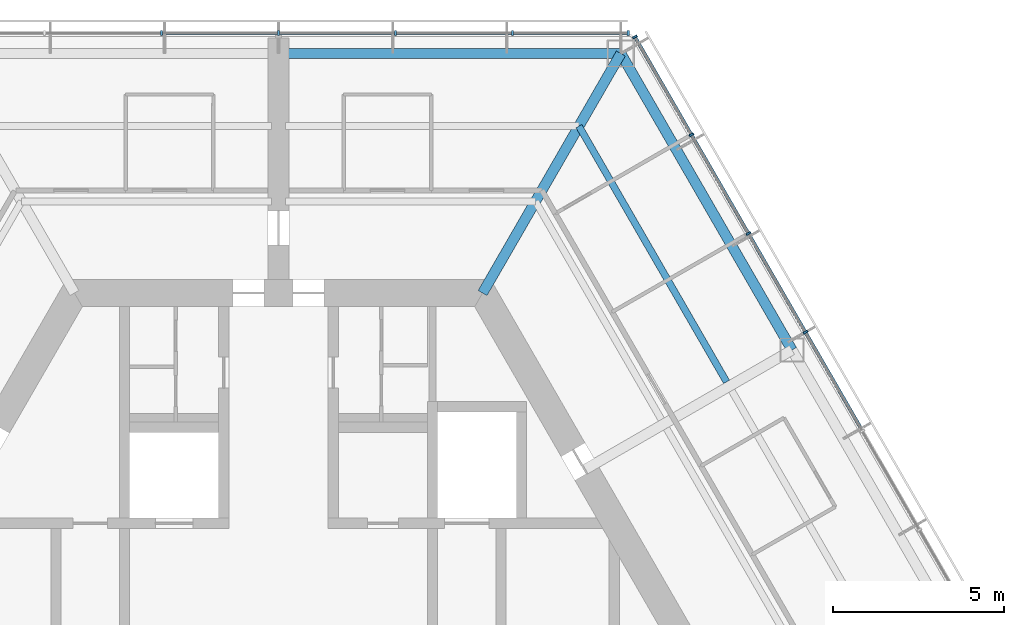
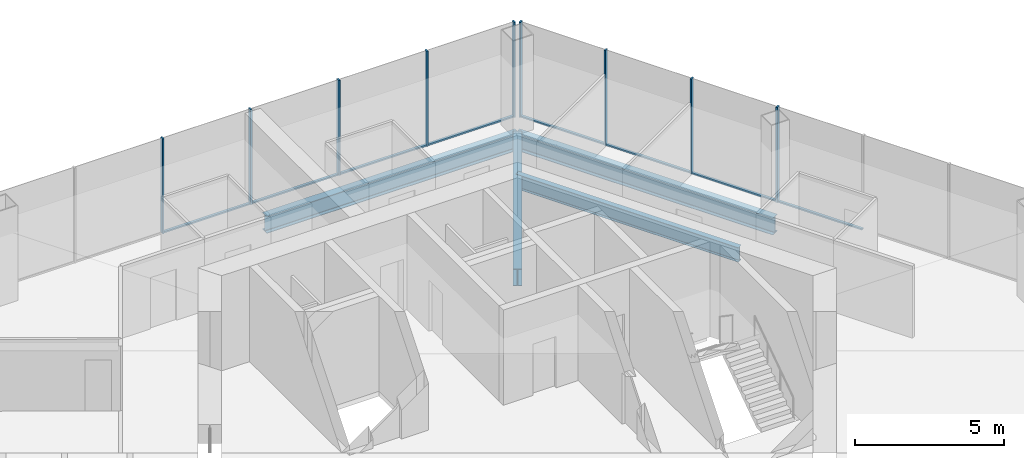
# One storey, part 7 of 15: 17 members, 4 beams, 2 elements without a shape of their own.
"""IFC4 building model written with IfcOpenShell, lengths in metres."""

from ifc_helpers import new_model, si_unit, direction, frame, origin, origin_2d, place, context, subcontext, project, spatial, rectangle, i_section, extrude, material, material_profile, profile_set, type_object, element, aggregate, save


model = new_model("IFC4")

# Units and contexts
model_context = context("Model", 3, precision=1e-05, world=origin(), true_north=direction((0.0, 1.0)))
body_context = subcontext(model_context, "Body", "Model", "MODEL_VIEW")
ifc_project = project(units=[si_unit("LENGTHUNIT", "METRE"), si_unit("AREAUNIT", "SQUARE_METRE"), si_unit("VOLUMEUNIT", "CUBIC_METRE"), si_unit("PLANEANGLEUNIT", "RADIAN"), si_unit("MASSUNIT", "GRAM", prefix="KILO")], contexts=[model_context])

# Site, building, storey
site_placement = place(None, origin())
site = spatial("IfcSite", under=ifc_project, at=site_placement, CompositionType="ELEMENT")
building_placement = place(site_placement, origin())
building = spatial("IfcBuilding", under=site, at=building_placement, Name="Kasaneha Research Tower", CompositionType="ELEMENT")
storey_placement = place(building_placement, frame((0.0, 0.0, 244.0)))
storey = spatial("IfcBuildingStorey", under=building, at=storey_placement, Name="L61", CompositionType="ELEMENT", Elevation=244.0)

# Beam
ifc_material_1 = material(Name="Steel SN490B", Category="steel")
ifc_material_profile_1 = material_profile(ifc_material_1, i_section(OverallWidth=0.199951171875, OverallDepth=0.60009765625, WebThickness=0.010986328125, FlangeThickness=0.01708984375, FilletRadius=0.012939453125, at=origin_2d()), Name="H-600x200x11x17")
ifc_profile_set_1 = profile_set([ifc_material_profile_1], Name="Steel SN490B")
beam_type_1 = type_object("IfcBeamType", Name="B1-3 secondary beam H-600x200x11x17", PredefinedType="JOIST", material=ifc_profile_set_1)
beam_1_placement = place(storey_placement, frame((8.775634765625, 15.199951171875, -0.449951171875), z_axis=(0.500017275495, -0.866015429543, 0.0), x_axis=(0.866015429543, 0.500017275495, 0.0)))
element("IfcBeam", 1, at=beam_1_placement, inside=storey, type_object=beam_type_1, Name="Secondary beam RS030R2 L61", PredefinedType="JOIST", context=body_context, shape_type="SweptSolid", body=[
    extrude(i_section(OverallWidth=0.199951171875, OverallDepth=0.60009765625, WebThickness=0.010986328125, FlangeThickness=0.01708984375, FilletRadius=0.012939453125, at=origin_2d()), origin(), (0.0, 0.0, 1.0), 8.625732421875),
])

# Curtain wall, members
ifc_material_2 = material(Name="Glass and aluminium", Category="aluminium")
curtain_wall_type = type_object("IfcCurtainWallType", Name="High-rise office curtain wall", PredefinedType="USERDEFINED", material=ifc_material_2)
curtain_wall_1_placement = place(storey_placement, origin())
curtain_wall_1 = element("IfcCurtainWall", 2, at=curtain_wall_1_placement, inside=storey, type_object=curtain_wall_type, Name="CW-O3 L61 run 01a", ObjectType="UNITISED CURTAIN WALL", PredefinedType="USERDEFINED")
ifc_material_3 = material(Name="Aluminium 6063-T6", Category="aluminium")
ifc_material_profile_2 = material_profile(ifc_material_3, rectangle(XDim=0.06005859375, YDim=0.139892578125, at=origin_2d()), Name="CW-O3 mullion 60x140")
ifc_profile_set_2 = profile_set([ifc_material_profile_2], Name="Aluminium 6063-T6")
member_type_1 = type_object("IfcMemberType", Name="CW-O3 mullion", PredefinedType="MULLION", material=ifc_profile_set_2)
member_1_placement = place(storey_placement, frame((15.392822265625, 9.179931640625, 0.0), z_axis=(0.0, 0.0, 1.0), x_axis=(-0.499999979232, 0.866025415775, 0.0)))
member_1 = element("IfcMember", 3, at=member_1_placement, type_object=member_type_1, Name="CW-O3 mullion 4", PredefinedType="MULLION", context=body_context, shape_type="SweptSolid", body=[
    extrude(rectangle(XDim=0.06005859375, YDim=0.139892578125, at=origin_2d()), origin(), (0.0, 0.0, 1.0), 3.89990234375),
])
member_2_placement = place(storey_placement, frame((13.727294921875, 12.064453125, 0.0), z_axis=(0.0, 0.0, 1.0), x_axis=(-0.499999979232, 0.866025415775, 0.0)))
member_2 = element("IfcMember", 4, at=member_2_placement, type_object=member_type_1, Name="CW-O3 mullion 5", PredefinedType="MULLION", context=body_context, shape_type="SweptSolid", body=[
    extrude(rectangle(XDim=0.06005859375, YDim=0.139892578125, at=origin_2d()), origin(), (0.0, 0.0, 1.0), 3.89990234375),
])
member_3_placement = place(storey_placement, frame((12.061767578125, 14.94921875, 0.0), z_axis=(0.0, 0.0, 1.0), x_axis=(-0.499999979232, 0.866025415775, 0.0)))
member_3 = element("IfcMember", 5, at=member_3_placement, type_object=member_type_1, Name="CW-O3 mullion 6", PredefinedType="MULLION", context=body_context, shape_type="SweptSolid", body=[
    extrude(rectangle(XDim=0.06005859375, YDim=0.139892578125, at=origin_2d()), origin(), (0.0, 0.0, 1.0), 3.89990234375),
])
member_4_placement = place(storey_placement, frame((10.411376953125, 17.807861328125, 0.0), z_axis=(0.0, 0.0, 1.0), x_axis=(-0.499999979232, 0.866025415775, 0.0)))
member_4 = element("IfcMember", 6, at=member_4_placement, type_object=member_type_1, Name="CW-O3 mullion 7", PredefinedType="MULLION", context=body_context, shape_type="SweptSolid", body=[
    extrude(rectangle(XDim=0.06005859375, YDim=0.139892578125, at=origin_2d()), origin(), (0.0, 0.0, 1.0), 3.89990234375),
])

curtain_wall_2_placement = place(storey_placement, origin())
curtain_wall_2 = element("IfcCurtainWall", 7, at=curtain_wall_2_placement, inside=storey, type_object=curtain_wall_type, Name="CW-O3 L61 run 02a", ObjectType="UNITISED CURTAIN WALL", PredefinedType="USERDEFINED")
member_5_placement = place(storey_placement, frame((10.21630859375, 17.92041015625, 0.0), z_axis=(0.0, 0.0, 1.0), x_axis=(-1.0, 0.0, 0.0)))
member_5 = element("IfcMember", 8, at=member_5_placement, type_object=member_type_1, Name="CW-O3 mullion 1", PredefinedType="MULLION", context=body_context, shape_type="SweptSolid", body=[
    extrude(rectangle(XDim=0.06005859375, YDim=0.139892578125, at=origin_2d()), origin(), (0.0, 0.0, 1.0), 3.89990234375),
])
member_6_placement = place(storey_placement, frame((6.8310546875, 17.92041015625, 0.0), z_axis=(0.0, 0.0, 1.0), x_axis=(-1.0, 0.0, 0.0)))
member_6 = element("IfcMember", 9, at=member_6_placement, type_object=member_type_1, Name="CW-O3 mullion 2", PredefinedType="MULLION", context=body_context, shape_type="SweptSolid", body=[
    extrude(rectangle(XDim=0.06005859375, YDim=0.139892578125, at=origin_2d()), origin(), (0.0, 0.0, 1.0), 3.89990234375),
])
member_7_placement = place(storey_placement, frame((3.41552734375, 17.92041015625, 0.0), z_axis=(0.0, 0.0, 1.0), x_axis=(-1.0, 0.0, 0.0)))
member_7 = element("IfcMember", 10, at=member_7_placement, type_object=member_type_1, Name="CW-O3 mullion 3", PredefinedType="MULLION", context=body_context, shape_type="SweptSolid", body=[
    extrude(rectangle(XDim=0.06005859375, YDim=0.139892578125, at=origin_2d()), origin(), (0.0, 0.0, 1.0), 3.89990234375),
])
member_8_placement = place(storey_placement, frame((0.0, 17.92041015625, 0.0), z_axis=(0.0, 0.0, 1.0), x_axis=(-1.0, 0.0, 0.0)))
member_8 = element("IfcMember", 11, at=member_8_placement, type_object=member_type_1, Name="CW-O3 mullion 4", PredefinedType="MULLION", context=body_context, shape_type="SweptSolid", body=[
    extrude(rectangle(XDim=0.06005859375, YDim=0.139892578125, at=origin_2d()), origin(), (0.0, 0.0, 1.0), 3.89990234375),
])
member_9_placement = place(storey_placement, frame((-3.41552734375, 17.92041015625, 0.0), z_axis=(0.0, 0.0, 1.0), x_axis=(-1.0, 0.0, 0.0)))
member_9 = element("IfcMember", 12, at=member_9_placement, type_object=member_type_1, Name="CW-O3 mullion 5", PredefinedType="MULLION", context=body_context, shape_type="SweptSolid", body=[
    extrude(rectangle(XDim=0.06005859375, YDim=0.139892578125, at=origin_2d()), origin(), (0.0, 0.0, 1.0), 3.89990234375),
])

# Member
ifc_material_4 = material(Name="Aluminium 6063-T6", Category="aluminium")
ifc_material_profile_3 = material_profile(ifc_material_4, rectangle(XDim=0.10009765625, YDim=0.06005859375, at=origin_2d()), Name="CW-O3 transom 100x60")
ifc_profile_set_3 = profile_set([ifc_material_profile_3], Name="Aluminium 6063-T6")
member_type_2 = type_object("IfcMemberType", Name="CW-O3 transom", PredefinedType="USERDEFINED", material=ifc_profile_set_3)
member_10_placement = place(storey_placement, frame((17.043212890625, 6.3212890625, 0.030029296875), z_axis=(-0.50003259116, 0.866006586452, 0.0), x_axis=(-0.866006586452, -0.50003259116, 0.0)))
member_10 = element("IfcMember", 13, at=member_10_placement, type_object=member_type_2, Name="CW-O3 transom 3", ObjectType="TRANSOM", PredefinedType="USERDEFINED", context=body_context, shape_type="SweptSolid", body=[
    extrude(rectangle(XDim=0.10009765625, YDim=0.06005859375, at=origin_2d()), origin(), (0.0, 0.0, 1.0), 3.270751953125),
])

member_11_placement = place(storey_placement, frame((15.3779296875, 9.205810546875, 0.030029296875), z_axis=(-0.500000270186, 0.866025247793, 0.0), x_axis=(-0.866025247793, -0.500000270186, 0.0)))
member_11 = element("IfcMember", 14, at=member_11_placement, type_object=member_type_2, Name="CW-O3 transom 4", ObjectType="TRANSOM", PredefinedType="USERDEFINED", context=body_context, shape_type="SweptSolid", body=[
    extrude(rectangle(XDim=0.10009765625, YDim=0.06005859375, at=origin_2d()), origin(), (0.0, 0.0, 1.0), 3.27099609375),
])

member_12_placement = place(storey_placement, frame((13.71240234375, 12.090576171875, 0.030029296875), z_axis=(-0.500000270186, 0.866025247793, 0.0), x_axis=(-0.866025247793, -0.500000270186, 0.0)))
member_12 = element("IfcMember", 15, at=member_12_placement, type_object=member_type_2, Name="CW-O3 transom 5", ObjectType="TRANSOM", PredefinedType="USERDEFINED", context=body_context, shape_type="SweptSolid", body=[
    extrude(rectangle(XDim=0.10009765625, YDim=0.06005859375, at=origin_2d()), origin(), (0.0, 0.0, 1.0), 3.27099609375),
])

member_13_placement = place(storey_placement, frame((12.046875, 14.97509765625, 0.030029296875), z_axis=(-0.499955025697, 0.866051368154, 0.0), x_axis=(-0.866051368154, -0.499955025697, 0.0)))
member_13 = element("IfcMember", 16, at=member_13_placement, type_object=member_type_2, Name="CW-O3 transom 6", ObjectType="TRANSOM", PredefinedType="USERDEFINED", context=body_context, shape_type="SweptSolid", body=[
    extrude(rectangle(XDim=0.10009765625, YDim=0.06005859375, at=origin_2d()), origin(), (0.0, 0.0, 1.0), 3.240966796875),
])

aggregate(curtain_wall_1, [member_1, member_2, member_3, member_4, member_10, member_11, member_12, member_13])

member_14_placement = place(storey_placement, frame((10.1865234375, 17.92041015625, 0.030029296875), z_axis=(-1.0, 0.0, 0.0), x_axis=(0.0, -1.0, 0.0)))
member_14 = element("IfcMember", 17, at=member_14_placement, type_object=member_type_2, Name="CW-O3 transom 1", ObjectType="TRANSOM", PredefinedType="USERDEFINED", context=body_context, shape_type="SweptSolid", body=[
    extrude(rectangle(XDim=0.10009765625, YDim=0.06005859375, at=origin_2d()), origin(), (0.0, 0.0, 1.0), 3.32568359375),
])

member_15_placement = place(storey_placement, frame((6.801025390625, 17.92041015625, 0.030029296875), z_axis=(-1.0, 0.0, 0.0), x_axis=(0.0, -1.0, 0.0)))
member_15 = element("IfcMember", 18, at=member_15_placement, type_object=member_type_2, Name="CW-O3 transom 2", ObjectType="TRANSOM", PredefinedType="USERDEFINED", context=body_context, shape_type="SweptSolid", body=[
    extrude(rectangle(XDim=0.10009765625, YDim=0.06005859375, at=origin_2d()), origin(), (0.0, 0.0, 1.0), 3.35546875),
])

member_16_placement = place(storey_placement, frame((3.385498046875, 17.92041015625, 0.030029296875), z_axis=(-1.0, 0.0, 0.0), x_axis=(0.0, -1.0, 0.0)))
member_16 = element("IfcMember", 19, at=member_16_placement, type_object=member_type_2, Name="CW-O3 transom 3", ObjectType="TRANSOM", PredefinedType="USERDEFINED", context=body_context, shape_type="SweptSolid", body=[
    extrude(rectangle(XDim=0.10009765625, YDim=0.06005859375, at=origin_2d()), origin(), (0.0, 0.0, 1.0), 3.35546875),
])

member_17_placement = place(storey_placement, frame((-0.030029296875, 17.92041015625, 0.030029296875), z_axis=(-1.0, 0.0, 0.0), x_axis=(0.0, -1.0, 0.0)))
member_17 = element("IfcMember", 20, at=member_17_placement, type_object=member_type_2, Name="CW-O3 transom 4", ObjectType="TRANSOM", PredefinedType="USERDEFINED", context=body_context, shape_type="SweptSolid", body=[
    extrude(rectangle(XDim=0.10009765625, YDim=0.06005859375, at=origin_2d()), origin(), (0.0, 0.0, 1.0), 3.35546875),
])

aggregate(curtain_wall_2, [member_5, member_6, member_7, member_8, member_9, member_14, member_15, member_16, member_17])

# Beams
ifc_material_5 = material(Name="Steel SN490B", Category="steel")
ifc_material_profile_4 = material_profile(ifc_material_5, i_section(OverallWidth=0.300048828125, OverallDepth=0.699951171875, WebThickness=0.012939453125, FlangeThickness=0.02392578125, FilletRadius=0.01806640625, at=origin_2d()), Name="H-700x300x13x24")
ifc_profile_set_4 = profile_set([ifc_material_profile_4], Name="Steel SN490B")
beam_type_2 = type_object("IfcBeamType", Name="G1-3 radial girder H-700x300x13x24", PredefinedType="BEAM", material=ifc_profile_set_4)
beam_2_placement = place(storey_placement, frame((5.961181640625, 10.324951171875, -0.5), z_axis=(0.49999105496, 0.866030568144, 0.0), x_axis=(-0.866030568144, 0.49999105496, 0.0)))
element("IfcBeam", 21, at=beam_2_placement, inside=storey, type_object=beam_type_2, Name="Radial girder RV060 L61", PredefinedType="BEAM", context=body_context, shape_type="SweptSolid", body=[
    extrude(i_section(OverallWidth=0.300048828125, OverallDepth=0.699951171875, WebThickness=0.012939453125, FlangeThickness=0.02392578125, FilletRadius=0.01806640625, at=origin_2d()), origin(), (0.0, 0.0, 1.0), 8.077880859375),
])
ifc_material_6 = material(Name="Steel SN490B", Category="steel")
ifc_material_profile_5 = material_profile(ifc_material_6, i_section(OverallWidth=0.300048828125, OverallDepth=0.69189453125, WebThickness=0.012939453125, FlangeThickness=0.02001953125, FilletRadius=0.01806640625, at=origin_2d()), Name="H-692x300x13x20")
ifc_profile_set_5 = profile_set([ifc_material_profile_5], Name="Steel SN490B")
beam_type_3 = type_object("IfcBeamType", Name="G3-3 plate edge girder H-692x300x13x20", PredefinedType="BEAM", material=ifc_profile_set_5)
beam_3_placement = place(storey_placement, frame((10.0, 17.320556640625, -0.49609375), z_axis=(-1.0, 0.0, 0.0), x_axis=(0.0, -1.0, 0.0)))
element("IfcBeam", 22, at=beam_3_placement, inside=storey, type_object=beam_type_3, Name="Plate edge girder PEAP L61", PredefinedType="BEAM", context=body_context, shape_type="SweptSolid", body=[
    extrude(i_section(OverallWidth=0.300048828125, OverallDepth=0.69189453125, WebThickness=0.012939453125, FlangeThickness=0.02001953125, FilletRadius=0.01806640625, at=origin_2d()), origin(), (0.0, 0.0, 1.0), 9.800048828125),
])
ifc_material_7 = material(Name="Steel SN490B", Category="steel")
ifc_material_profile_6 = material_profile(ifc_material_7, i_section(OverallWidth=0.300048828125, OverallDepth=0.69189453125, WebThickness=0.012939453125, FlangeThickness=0.02001953125, FilletRadius=0.01806640625, at=origin_2d()), Name="H-692x300x13x20")
ifc_profile_set_6 = profile_set([ifc_material_profile_6], Name="Steel SN490B")
beam_type_4 = type_object("IfcBeamType", Name="SB1-3 spandrel beam H-692x300x13x20", PredefinedType="SPANDREL", material=ifc_profile_set_6)
beam_4_placement = place(storey_placement, frame((10.0, 17.320556640625, -0.49609375), z_axis=(0.499993662806, -0.866029062534, 0.0), x_axis=(0.866029062534, 0.499993662806, 0.0)))
element("IfcBeam", 23, at=beam_4_placement, inside=storey, type_object=beam_type_4, Name="Spandrel beam SR030R L61", PredefinedType="SPANDREL", context=body_context, shape_type="SweptSolid", body=[
    extrude(i_section(OverallWidth=0.300048828125, OverallDepth=0.69189453125, WebThickness=0.012939453125, FlangeThickness=0.02001953125, FilletRadius=0.01806640625, at=origin_2d()), origin(), (0.0, 0.0, 1.0), 10.000244140625),
])

save(model, "model.ifc")
